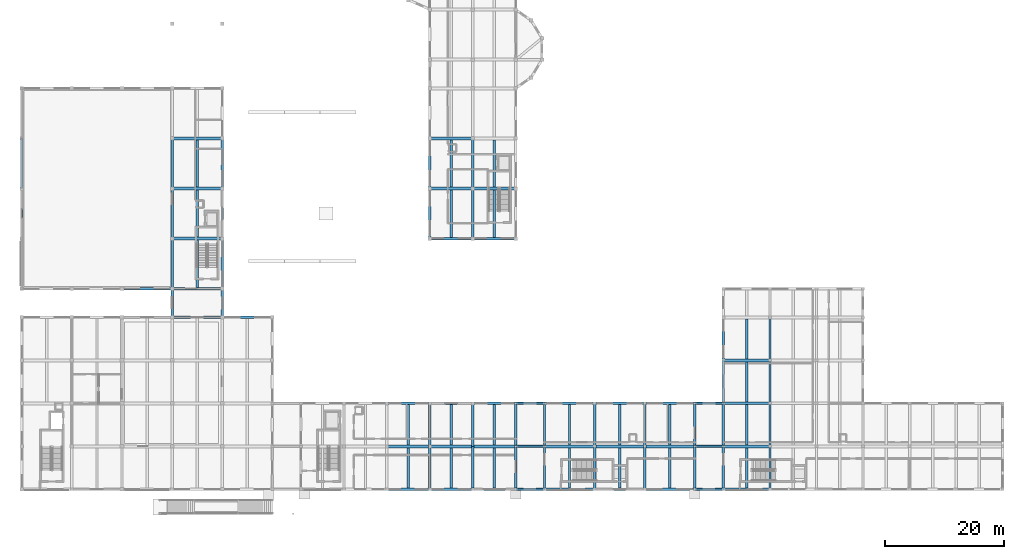
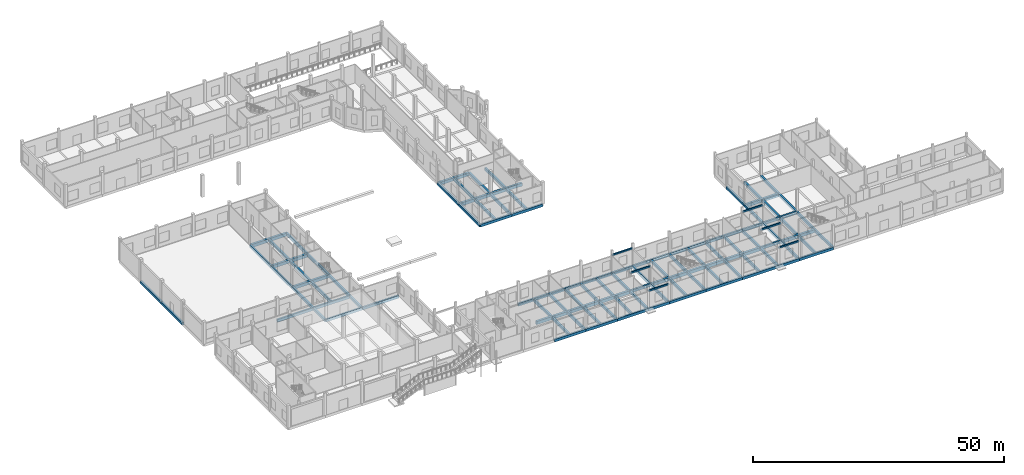
# One storey, part 10 of 41: 105 beams.
"""IFC4 building model written with IfcOpenShell, lengths in metres."""

from ifc_helpers import new_model, si_unit, direction, frame, origin, origin_2d, place, context, subcontext, project, spatial, rectangle, extrude, material, material_profile, profile_set, type_object, element, save


model = new_model("IFC4")

# Units and contexts
model_context = context("Model", 3, precision=1e-05, world=origin(), true_north=direction((0.0, 1.0)))
body_context = subcontext(model_context, "Body", "Model", "MODEL_VIEW")
ifc_project = project(units=[si_unit("LENGTHUNIT", "METRE"), si_unit("AREAUNIT", "SQUARE_METRE"), si_unit("VOLUMEUNIT", "CUBIC_METRE"), si_unit("PLANEANGLEUNIT", "RADIAN"), si_unit("MASSUNIT", "GRAM", prefix="KILO")], contexts=[model_context])

# Site, building, storey
site_placement = place(None, origin())
site = spatial("IfcSite", under=ifc_project, at=site_placement, CompositionType="ELEMENT")
building_placement = place(site_placement, origin())
building = spatial("IfcBuilding", under=site, at=building_placement, Name="Kahlenmark Community Centre", CompositionType="ELEMENT")
storey_placement = place(building_placement, origin())
storey = spatial("IfcBuildingStorey", under=building, at=storey_placement, Name="L00", CompositionType="ELEMENT", Elevation=0.0)

# Beams
ifc_material = material(Name="Concrete C35/45", Category="concrete")
ifc_material_profile_1 = material_profile(ifc_material, rectangle(XDim=0.39990234375, YDim=0.64990234375, at=origin_2d()), Name="RC 400x650")
ifc_profile_set_1 = profile_set([ifc_material_profile_1], Name="Concrete C35/45")
beam_type_1 = type_object("IfcBeamType", Name="BT-BEAM-RC400x650", PredefinedType="BEAM", material=ifc_profile_set_1)
beam_1_placement = place(storey_placement, frame((29.199951171875, 42.39990234375, -0.324951171875), z_axis=(0.0, 1.0, 0.0), x_axis=(-1.0, 0.0, 0.0)))
element("IfcBeam", 1, at=beam_1_placement, inside=storey, type_object=beam_type_1, Name="L00 beam BG-RC400x650", PredefinedType="BEAM", context=body_context, shape_type="SweptSolid", body=[
    extrude(rectangle(XDim=0.39990234375, YDim=0.64990234375, at=origin_2d()), origin(), (0.0, 0.0, 1.0), 8.400146484375),
])
beam_2_placement = place(storey_placement, frame((29.199951171875, 50.800048828125, -0.324951171875), z_axis=(0.0, 1.0, 0.0), x_axis=(-1.0, 0.0, 0.0)))
element("IfcBeam", 2, at=beam_2_placement, inside=storey, type_object=beam_type_1, Name="L00 beam BG-RC400x650", PredefinedType="BEAM", context=body_context, shape_type="SweptSolid", body=[
    extrude(rectangle(XDim=0.39990234375, YDim=0.64990234375, at=origin_2d()), origin(), (0.0, 0.0, 1.0), 8.39990234375),
])
beam_3_placement = place(storey_placement, frame((29.199951171875, 59.199951171875, -0.324951171875), z_axis=(0.0, 1.0, 0.0), x_axis=(-1.0, 0.0, 0.0)))
element("IfcBeam", 3, at=beam_3_placement, inside=storey, type_object=beam_type_1, Name="L00 beam BG-RC400x650", PredefinedType="BEAM", context=body_context, shape_type="SweptSolid", body=[
    extrude(rectangle(XDim=0.39990234375, YDim=0.64990234375, at=origin_2d()), origin(), (0.0, 0.0, 1.0), 8.400146484375),
])
for number, where, z_axis, x_axis, name in (
    (4, (72.39990234375, 8.800048828125, -0.324951171875), (0.0, 1.0, 0.0), (-1.0, 0.0, 0.0), "L00 beam BG-RC400x650"),
    (5, (72.39990234375, 16.0, -0.324951171875), (0.0, 1.0, 0.0), (-1.0, 0.0, 0.0), "L00 beam BG-RC400x650"),
    (6, (79.60009765625, 8.800048828125, -0.324951171875), (0.0, 1.0, 0.0), (-1.0, 0.0, 0.0), "L00 beam BG-RC400x650"),
    (7, (79.60009765625, 16.0, -0.324951171875), (0.0, 1.0, 0.0), (-1.0, 0.0, 0.0), "L00 beam BG-RC400x650"),
):
    element("IfcBeam", number, at=place(storey_placement, frame(where, z_axis=z_axis, x_axis=x_axis)), inside=storey, type_object=beam_type_1, Name=name, PredefinedType="BEAM", context=body_context, shape_type="SweptSolid", body=[
        extrude(rectangle(XDim=0.39990234375, YDim=0.64990234375, at=origin_2d()), origin(), (0.0, 0.0, 1.0), 7.199951171875),
    ])
beam_4_placement = place(storey_placement, frame((79.60009765625, 50.800048828125, -0.324951171875), z_axis=(0.0, 1.0, 0.0), x_axis=(-1.0, 0.0, 0.0)))
element("IfcBeam", 8, at=beam_4_placement, inside=storey, type_object=beam_type_1, Name="L00 beam BG-RC400x650", PredefinedType="BEAM", context=body_context, shape_type="SweptSolid", body=[
    extrude(rectangle(XDim=0.39990234375, YDim=0.64990234375, at=origin_2d()), origin(), (0.0, 0.0, 1.0), 8.39990234375),
])
beam_5_placement = place(storey_placement, frame((79.60009765625, 59.199951171875, -0.324951171875), z_axis=(0.0, 1.0, 0.0), x_axis=(-1.0, 0.0, 0.0)))
element("IfcBeam", 9, at=beam_5_placement, inside=storey, type_object=beam_type_1, Name="L00 beam BG-RC400x650", PredefinedType="BEAM", context=body_context, shape_type="SweptSolid", body=[
    extrude(rectangle(XDim=0.39990234375, YDim=0.64990234375, at=origin_2d()), origin(), (0.0, 0.0, 1.0), 8.400146484375),
])
for number, where, z_axis, x_axis, name in (
    (10, (100.0, 8.800048828125, -0.324951171875), (0.0, 1.0, 0.0), (-1.0, 0.0, 0.0), "L00 beam BG-RC400x650"),
    (11, (100.0, 16.0, -0.324951171875), (0.0, 1.0, 0.0), (-1.0, 0.0, 0.0), "L00 beam BG-RC400x650"),
    (12, (108.39990234375, 8.800048828125, -0.324951171875), (0.0, 1.0, 0.0), (-1.0, 0.0, 0.0), "L00 beam BG-RC400x650"),
    (13, (108.39990234375, 16.0, -0.324951171875), (0.0, 1.0, 0.0), (-1.0, 0.0, 0.0), "L00 beam BG-RC400x650"),
    (14, (129.39990234375, 8.800048828125, -0.324951171875), (0.0, 1.0, 0.0), (-1.0, 0.0, 0.0), "L00 beam BG-RC400x650"),
    (15, (129.39990234375, 16.0, -0.324951171875), (0.0, 1.0, 0.0), (-1.0, 0.0, 0.0), "L00 beam BG-RC400x650"),
    (16, (129.39990234375, 23.199951171875, -0.324951171875), (0.0, 1.0, 0.0), (-1.0, 0.0, 0.0), "L00 beam BG-RC400x650"),
):
    element("IfcBeam", number, at=place(storey_placement, frame(where, z_axis=z_axis, x_axis=x_axis)), inside=storey, type_object=beam_type_1, Name=name, PredefinedType="BEAM", context=body_context, shape_type="SweptSolid", body=[
        extrude(rectangle(XDim=0.39990234375, YDim=0.64990234375, at=origin_2d()), origin(), (0.0, 0.0, 1.0), 7.199951171875),
    ])
beam_6_placement = place(storey_placement, frame((129.39990234375, 30.39990234375, -0.324951171875), z_axis=(0.0, 1.0, 0.0), x_axis=(-1.0, 0.0, 0.0)))
element("IfcBeam", 17, at=beam_6_placement, inside=storey, type_object=beam_type_1, Name="L00 beam BG-RC400x650", PredefinedType="BEAM", context=body_context, shape_type="SweptSolid", body=[
    extrude(rectangle(XDim=0.39990234375, YDim=0.64990234375, at=origin_2d()), origin(), (0.0, 0.0, 1.0), 7.2001953125),
])
ifc_material_profile_2 = material_profile(ifc_material, rectangle(XDim=0.5, YDim=0.75, at=origin_2d()), Name="RC 500x750")
ifc_profile_set_2 = profile_set([ifc_material_profile_2], Name="Concrete C35/45")
beam_type_2 = type_object("IfcBeamType", Name="BT-BEAM-RC500x750", PredefinedType="BEAM", material=ifc_profile_set_2)
for number, where, z_axis, x_axis, name in (
    (18, (29.199951171875, 50.800048828125, -0.375), (1.0, 0.0, 0.0), (0.0, 1.0, 0.0), "L00 beam BG-RC500x750"),
    (19, (29.199951171875, 59.199951171875, -0.375), (1.0, 0.0, 0.0), (0.0, 1.0, 0.0), "L00 beam BG-RC500x750"),
    (20, (29.199951171875, 67.60009765625, -0.375), (1.0, 0.0, 0.0), (0.0, 1.0, 0.0), "L00 beam BG-RC500x750"),
):
    element("IfcBeam", number, at=place(storey_placement, frame(where, z_axis=z_axis, x_axis=x_axis)), inside=storey, type_object=beam_type_2, Name=name, PredefinedType="BEAM", context=body_context, shape_type="SweptSolid", body=[
        extrude(rectangle(XDim=0.5, YDim=0.75, at=origin_2d()), origin(), (0.0, 0.0, 1.0), 8.400146484375),
    ])
beam_7_placement = place(storey_placement, frame((65.199951171875, 16.0, -0.375), z_axis=(1.0, 0.0, 0.0), x_axis=(0.0, 1.0, 0.0)))
element("IfcBeam", 21, at=beam_7_placement, inside=storey, type_object=beam_type_2, Name="L00 beam BG-RC500x750", PredefinedType="BEAM", context=body_context, shape_type="SweptSolid", body=[
    extrude(rectangle(XDim=0.5, YDim=0.75, at=origin_2d()), origin(), (0.0, 0.0, 1.0), 7.199951171875),
])
beam_8_placement = place(storey_placement, frame((72.39990234375, 16.0, -0.375), z_axis=(1.0, 0.0, 0.0), x_axis=(0.0, 1.0, 0.0)))
element("IfcBeam", 22, at=beam_8_placement, inside=storey, type_object=beam_type_2, Name="L00 beam BG-RC500x750", PredefinedType="BEAM", context=body_context, shape_type="SweptSolid", body=[
    extrude(rectangle(XDim=0.5, YDim=0.75, at=origin_2d()), origin(), (0.0, 0.0, 1.0), 7.2001953125),
])
beam_9_placement = place(storey_placement, frame((79.60009765625, 16.0, -0.375), z_axis=(1.0, 0.0, 0.0), x_axis=(0.0, 1.0, 0.0)))
element("IfcBeam", 23, at=beam_9_placement, inside=storey, type_object=beam_type_2, Name="L00 beam BG-RC500x750", PredefinedType="BEAM", context=body_context, shape_type="SweptSolid", body=[
    extrude(rectangle(XDim=0.5, YDim=0.75, at=origin_2d()), origin(), (0.0, 0.0, 1.0), 7.199951171875),
])
beam_10_placement = place(storey_placement, frame((72.39990234375, 59.199951171875, -0.375), z_axis=(1.0, 0.0, 0.0), x_axis=(0.0, 1.0, 0.0)))
element("IfcBeam", 24, at=beam_10_placement, inside=storey, type_object=beam_type_2, Name="L00 beam BG-RC500x750", PredefinedType="BEAM", context=body_context, shape_type="SweptSolid", body=[
    extrude(rectangle(XDim=0.5, YDim=0.75, at=origin_2d()), origin(), (0.0, 0.0, 1.0), 7.2001953125),
])
beam_11_placement = place(storey_placement, frame((79.60009765625, 59.199951171875, -0.375), z_axis=(1.0, 0.0, 0.0), x_axis=(0.0, 1.0, 0.0)))
element("IfcBeam", 25, at=beam_11_placement, inside=storey, type_object=beam_type_2, Name="L00 beam BG-RC500x750", PredefinedType="BEAM", context=body_context, shape_type="SweptSolid", body=[
    extrude(rectangle(XDim=0.5, YDim=0.75, at=origin_2d()), origin(), (0.0, 0.0, 1.0), 7.199951171875),
])
beam_12_placement = place(storey_placement, frame((72.39990234375, 67.60009765625, -0.375), z_axis=(1.0, 0.0, 0.0), x_axis=(0.0, 1.0, 0.0)))
element("IfcBeam", 26, at=beam_12_placement, inside=storey, type_object=beam_type_2, Name="L00 beam BG-RC500x750", PredefinedType="BEAM", context=body_context, shape_type="SweptSolid", body=[
    extrude(rectangle(XDim=0.5, YDim=0.75, at=origin_2d()), origin(), (0.0, 0.0, 1.0), 7.2001953125),
])
for number, where, z_axis, x_axis, name in (
    (27, (91.60009765625, 16.0, -0.375), (1.0, 0.0, 0.0), (0.0, 1.0, 0.0), "L00 beam BG-RC500x750"),
    (28, (100.0, 16.0, -0.375), (1.0, 0.0, 0.0), (0.0, 1.0, 0.0), "L00 beam BG-RC500x750"),
):
    element("IfcBeam", number, at=place(storey_placement, frame(where, z_axis=z_axis, x_axis=x_axis)), inside=storey, type_object=beam_type_2, Name=name, PredefinedType="BEAM", context=body_context, shape_type="SweptSolid", body=[
        extrude(rectangle(XDim=0.5, YDim=0.75, at=origin_2d()), origin(), (0.0, 0.0, 1.0), 8.39990234375),
    ])
beam_13_placement = place(storey_placement, frame((108.39990234375, 16.0, -0.375), z_axis=(1.0, 0.0, 0.0), x_axis=(0.0, 1.0, 0.0)))
element("IfcBeam", 29, at=beam_13_placement, inside=storey, type_object=beam_type_2, Name="L00 beam BG-RC500x750", PredefinedType="BEAM", context=body_context, shape_type="SweptSolid", body=[
    extrude(rectangle(XDim=0.5, YDim=0.75, at=origin_2d()), origin(), (0.0, 0.0, 1.0), 8.400146484375),
])
for number, where, z_axis, x_axis, name in (
    (30, (121.60009765625, 16.0, -0.375), (1.0, 0.0, 0.0), (0.0, 1.0, 0.0), "L00 beam BG-RC500x750"),
    (31, (121.60009765625, 30.39990234375, -0.375), (1.0, 0.0, 0.0), (0.0, 1.0, 0.0), "L00 beam BG-RC500x750"),
):
    element("IfcBeam", number, at=place(storey_placement, frame(where, z_axis=z_axis, x_axis=x_axis)), inside=storey, type_object=beam_type_2, Name=name, PredefinedType="BEAM", context=body_context, shape_type="SweptSolid", body=[
        extrude(rectangle(XDim=0.5, YDim=0.75, at=origin_2d()), origin(), (0.0, 0.0, 1.0), 7.7998046875),
    ])
ifc_material_profile_3 = material_profile(ifc_material, rectangle(XDim=0.39990234375, YDim=0.64990234375, at=origin_2d()), Name="RC 400x650")
ifc_profile_set_3 = profile_set([ifc_material_profile_3], Name="Concrete C35/45")
beam_type_3 = type_object("IfcBeamType", Name="BT-JOIST-RC400x650", PredefinedType="JOIST", material=ifc_profile_set_3)
beam_14_placement = place(storey_placement, frame((33.39990234375, 42.597900390625, -0.324951171875), z_axis=(0.0, 1.0, 0.0), x_axis=(-1.0, 0.0, 0.0)))
element("IfcBeam", 32, at=beam_14_placement, inside=storey, type_object=beam_type_3, Name="L00 joist BJ-RC400x650", PredefinedType="JOIST", context=body_context, shape_type="SweptSolid", body=[
    extrude(rectangle(XDim=0.39990234375, YDim=0.64990234375, at=origin_2d()), origin(), (0.0, 0.0, 1.0), 7.9541015625),
])
beam_15_placement = place(storey_placement, frame((33.39990234375, 51.048095703125, -0.324951171875), z_axis=(0.0, 1.0, 0.0), x_axis=(-1.0, 0.0, 0.0)))
element("IfcBeam", 33, at=beam_15_placement, inside=storey, type_object=beam_type_3, Name="L00 joist BJ-RC400x650", PredefinedType="JOIST", context=body_context, shape_type="SweptSolid", body=[
    extrude(rectangle(XDim=0.39990234375, YDim=0.64990234375, at=origin_2d()), origin(), (0.0, 0.0, 1.0), 7.90380859375),
])
beam_16_placement = place(storey_placement, frame((33.39990234375, 59.447998046875, -0.324951171875), z_axis=(0.0, 1.0, 0.0), x_axis=(-1.0, 0.0, 0.0)))
element("IfcBeam", 34, at=beam_16_placement, inside=storey, type_object=beam_type_3, Name="L00 joist BJ-RC400x650", PredefinedType="JOIST", context=body_context, shape_type="SweptSolid", body=[
    extrude(rectangle(XDim=0.39990234375, YDim=0.64990234375, at=origin_2d()), origin(), (0.0, 0.0, 1.0), 7.904052734375),
])
for number, where, z_axis, x_axis, name in (
    (35, (68.800048828125, 8.998046875, -0.324951171875), (0.0, 1.0, 0.0), (-1.0, 0.0, 0.0), "L00 joist BJ-RC400x650"),
    (36, (68.800048828125, 16.248046875, -0.324951171875), (0.0, 1.0, 0.0), (-1.0, 0.0, 0.0), "L00 joist BJ-RC400x650"),
    (37, (76.0, 8.998046875, -0.324951171875), (0.0, 1.0, 0.0), (-1.0, 0.0, 0.0), "L00 joist BJ-RC400x650"),
    (38, (76.0, 16.248046875, -0.324951171875), (0.0, 1.0, 0.0), (-1.0, 0.0, 0.0), "L00 joist BJ-RC400x650"),
    (39, (83.199951171875, 8.998046875, -0.324951171875), (0.0, 1.0, 0.0), (-1.0, 0.0, 0.0), "L00 joist BJ-RC400x650"),
    (40, (83.199951171875, 16.248046875, -0.324951171875), (0.0, 1.0, 0.0), (-1.0, 0.0, 0.0), "L00 joist BJ-RC400x650"),
):
    element("IfcBeam", number, at=place(storey_placement, frame(where, z_axis=z_axis, x_axis=x_axis)), inside=storey, type_object=beam_type_3, Name=name, PredefinedType="JOIST", context=body_context, shape_type="SweptSolid", body=[
        extrude(rectangle(XDim=0.39990234375, YDim=0.64990234375, at=origin_2d()), origin(), (0.0, 0.0, 1.0), 6.75390625),
    ])
beam_17_placement = place(storey_placement, frame((76.0, 50.998046875, -0.324951171875), z_axis=(0.0, 1.0, 0.0), x_axis=(-1.0, 0.0, 0.0)))
element("IfcBeam", 41, at=beam_17_placement, inside=storey, type_object=beam_type_3, Name="L00 joist BJ-RC400x650", PredefinedType="JOIST", context=body_context, shape_type="SweptSolid", body=[
    extrude(rectangle(XDim=0.39990234375, YDim=0.64990234375, at=origin_2d()), origin(), (0.0, 0.0, 1.0), 7.953857421875),
])
beam_18_placement = place(storey_placement, frame((76.0, 59.447998046875, -0.324951171875), z_axis=(0.0, 1.0, 0.0), x_axis=(-1.0, 0.0, 0.0)))
element("IfcBeam", 42, at=beam_18_placement, inside=storey, type_object=beam_type_3, Name="L00 joist BJ-RC400x650", PredefinedType="JOIST", context=body_context, shape_type="SweptSolid", body=[
    extrude(rectangle(XDim=0.39990234375, YDim=0.64990234375, at=origin_2d()), origin(), (0.0, 0.0, 1.0), 7.904052734375),
])
beam_19_placement = place(storey_placement, frame((83.199951171875, 50.998046875, -0.324951171875), z_axis=(0.0, 1.0, 0.0), x_axis=(-1.0, 0.0, 0.0)))
element("IfcBeam", 43, at=beam_19_placement, inside=storey, type_object=beam_type_3, Name="L00 joist BJ-RC400x650", PredefinedType="JOIST", context=body_context, shape_type="SweptSolid", body=[
    extrude(rectangle(XDim=0.39990234375, YDim=0.64990234375, at=origin_2d()), origin(), (0.0, 0.0, 1.0), 7.953857421875),
])
beam_20_placement = place(storey_placement, frame((83.199951171875, 59.447998046875, -0.324951171875), z_axis=(0.0, 1.0, 0.0), x_axis=(-1.0, 0.0, 0.0)))
element("IfcBeam", 44, at=beam_20_placement, inside=storey, type_object=beam_type_3, Name="L00 joist BJ-RC400x650", PredefinedType="JOIST", context=body_context, shape_type="SweptSolid", body=[
    extrude(rectangle(XDim=0.39990234375, YDim=0.64990234375, at=origin_2d()), origin(), (0.0, 0.0, 1.0), 7.904052734375),
])
for number, where, z_axis, x_axis, name in (
    (45, (95.800048828125, 8.998046875, -0.324951171875), (0.0, 1.0, 0.0), (-1.0, 0.0, 0.0), "L00 joist BJ-RC400x650"),
    (46, (95.800048828125, 16.248046875, -0.324951171875), (0.0, 1.0, 0.0), (-1.0, 0.0, 0.0), "L00 joist BJ-RC400x650"),
    (47, (104.199951171875, 8.998046875, -0.324951171875), (0.0, 1.0, 0.0), (-1.0, 0.0, 0.0), "L00 joist BJ-RC400x650"),
    (48, (104.199951171875, 16.248046875, -0.324951171875), (0.0, 1.0, 0.0), (-1.0, 0.0, 0.0), "L00 joist BJ-RC400x650"),
    (49, (112.60009765625, 8.998046875, -0.324951171875), (0.0, 1.0, 0.0), (-1.0, 0.0, 0.0), "L00 joist BJ-RC400x650"),
    (50, (112.60009765625, 16.248046875, -0.324951171875), (0.0, 1.0, 0.0), (-1.0, 0.0, 0.0), "L00 joist BJ-RC400x650"),
    (51, (125.5, 8.998046875, -0.324951171875), (0.0, 1.0, 0.0), (-1.0, 0.0, 0.0), "L00 joist BJ-RC400x650"),
    (52, (125.5, 16.248046875, -0.324951171875), (0.0, 1.0, 0.0), (-1.0, 0.0, 0.0), "L00 joist BJ-RC400x650"),
):
    element("IfcBeam", number, at=place(storey_placement, frame(where, z_axis=z_axis, x_axis=x_axis)), inside=storey, type_object=beam_type_3, Name=name, PredefinedType="JOIST", context=body_context, shape_type="SweptSolid", body=[
        extrude(rectangle(XDim=0.39990234375, YDim=0.64990234375, at=origin_2d()), origin(), (0.0, 0.0, 1.0), 6.75390625),
    ])
beam_21_placement = place(storey_placement, frame((125.5, 23.39794921875, -0.324951171875), z_axis=(0.0, 1.0, 0.0), x_axis=(-1.0, 0.0, 0.0)))
element("IfcBeam", 53, at=beam_21_placement, inside=storey, type_object=beam_type_3, Name="L00 joist BJ-RC400x650", PredefinedType="JOIST", context=body_context, shape_type="SweptSolid", body=[
    extrude(rectangle(XDim=0.39990234375, YDim=0.64990234375, at=origin_2d()), origin(), (0.0, 0.0, 1.0), 6.754150390625),
])
beam_22_placement = place(storey_placement, frame((125.5, 30.64794921875, -0.324951171875), z_axis=(0.0, 1.0, 0.0), x_axis=(-1.0, 0.0, 0.0)))
element("IfcBeam", 54, at=beam_22_placement, inside=storey, type_object=beam_type_3, Name="L00 joist BJ-RC400x650", PredefinedType="JOIST", context=body_context, shape_type="SweptSolid", body=[
    extrude(rectangle(XDim=0.39990234375, YDim=0.64990234375, at=origin_2d()), origin(), (0.0, 0.0, 1.0), 6.7041015625),
])
ifc_material_profile_4 = material_profile(ifc_material, rectangle(XDim=0.300048828125, YDim=0.35009765625, at=origin_2d()), Name="RC 300x350")
ifc_profile_set_4 = profile_set([ifc_material_profile_4], Name="Concrete C35/45")
beam_type_4 = type_object("IfcBeamType", Name="BT-LINTEL-RC300x350", PredefinedType="LINTEL", material=ifc_profile_set_4)
for number, where, z_axis, x_axis, name in (
    (55, (86.800048828125, 8.800048828125, 4.175048828125), (1.0, 0.0, 0.0), (0.0, 1.0, 0.0), "L00 lintel LN-RC350"),
    (56, (86.800048828125, 16.0, 4.175048828125), (1.0, 0.0, 0.0), (0.0, 1.0, 0.0), "L00 lintel LN-RC350"),
    (57, (86.800048828125, 23.199951171875, 4.175048828125), (1.0, 0.0, 0.0), (0.0, 1.0, 0.0), "L00 lintel LN-RC350"),
    (58, (116.800048828125, 8.800048828125, 4.175048828125), (1.0, 0.0, 0.0), (0.0, 1.0, 0.0), "L00 lintel LN-RC350"),
    (59, (116.800048828125, 16.0, 4.175048828125), (1.0, 0.0, 0.0), (0.0, 1.0, 0.0), "L00 lintel LN-RC350"),
    (60, (116.800048828125, 23.199951171875, 4.175048828125), (1.0, 0.0, 0.0), (0.0, 1.0, 0.0), "L00 lintel LN-RC350"),
):
    element("IfcBeam", number, at=place(storey_placement, frame(where, z_axis=z_axis, x_axis=x_axis)), inside=storey, type_object=beam_type_4, Name=name, PredefinedType="LINTEL", context=body_context, shape_type="SweptSolid", body=[
        extrude(rectangle(XDim=0.300048828125, YDim=0.35009765625, at=origin_2d()), origin(), (0.0, 0.0, 1.0), 4.800048828125),
    ])
ifc_material_profile_5 = material_profile(ifc_material, rectangle(XDim=0.39990234375, YDim=0.64990234375, at=origin_2d()), Name="RC 400x650")
ifc_profile_set_5 = profile_set([ifc_material_profile_5], Name="Concrete C35/45")
beam_type_5 = type_object("IfcBeamType", Name="BT-SPANDREL-RC400x650", PredefinedType="SPANDREL", material=ifc_profile_set_5)
beam_23_placement = place(storey_placement, frame((29.199951171875, 37.60009765625, -0.324951171875), z_axis=(1.0, 0.0, 0.0), x_axis=(0.0, 1.0, 0.0)))
element("IfcBeam", 61, at=beam_23_placement, inside=storey, type_object=beam_type_5, Name="L00 spandrel SP-RC400x650", PredefinedType="SPANDREL", context=body_context, shape_type="SweptSolid", body=[
    extrude(rectangle(XDim=0.39990234375, YDim=0.64990234375, at=origin_2d()), origin(), (0.0, 0.0, 1.0), 8.400146484375),
])
for number, where, z_axis, x_axis, name in (
    (62, (37.60009765625, 37.60009765625, -0.324951171875), (1.0, 0.0, 0.0), (0.0, 1.0, 0.0), "L00 spandrel SP-RC400x650"),
    (63, (20.800048828125, 42.39990234375, -0.324951171875), (1.0, 0.0, 0.0), (0.0, 1.0, 0.0), "L00 spandrel SP-RC400x650"),
):
    element("IfcBeam", number, at=place(storey_placement, frame(where, z_axis=z_axis, x_axis=x_axis)), inside=storey, type_object=beam_type_5, Name=name, PredefinedType="SPANDREL", context=body_context, shape_type="SweptSolid", body=[
        extrude(rectangle(XDim=0.39990234375, YDim=0.64990234375, at=origin_2d()), origin(), (0.0, 0.0, 1.0), 8.39990234375),
    ])
beam_24_placement = place(storey_placement, frame((29.199951171875, 42.39990234375, -0.324951171875), z_axis=(1.0, 0.0, 0.0), x_axis=(0.0, 1.0, 0.0)))
element("IfcBeam", 64, at=beam_24_placement, inside=storey, type_object=beam_type_5, Name="L00 spandrel SP-RC400x650", PredefinedType="SPANDREL", context=body_context, shape_type="SweptSolid", body=[
    extrude(rectangle(XDim=0.39990234375, YDim=0.64990234375, at=origin_2d()), origin(), (0.0, 0.0, 1.0), 8.400146484375),
])
beam_25_placement = place(storey_placement, frame((4.0, 50.800048828125, -0.324951171875), z_axis=(0.0, 1.0, 0.0), x_axis=(-1.0, 0.0, 0.0)))
element("IfcBeam", 65, at=beam_25_placement, inside=storey, type_object=beam_type_5, Name="L00 spandrel SP-RC400x650", PredefinedType="SPANDREL", context=body_context, shape_type="SweptSolid", body=[
    extrude(rectangle(XDim=0.39990234375, YDim=0.64990234375, at=origin_2d()), origin(), (0.0, 0.0, 1.0), 8.39990234375),
])
for number, where, z_axis, x_axis, name in (
    (66, (4.0, 59.199951171875, -0.324951171875), (0.0, 1.0, 0.0), (-1.0, 0.0, 0.0), "L00 spandrel SP-RC400x650"),
    (67, (37.60009765625, 42.39990234375, -0.324951171875), (0.0, 1.0, 0.0), (-1.0, 0.0, 0.0), "L00 spandrel SP-RC400x650"),
):
    element("IfcBeam", number, at=place(storey_placement, frame(where, z_axis=z_axis, x_axis=x_axis)), inside=storey, type_object=beam_type_5, Name=name, PredefinedType="SPANDREL", context=body_context, shape_type="SweptSolid", body=[
        extrude(rectangle(XDim=0.39990234375, YDim=0.64990234375, at=origin_2d()), origin(), (0.0, 0.0, 1.0), 8.400146484375),
    ])
beam_26_placement = place(storey_placement, frame((37.60009765625, 50.800048828125, -0.324951171875), z_axis=(0.0, 1.0, 0.0), x_axis=(-1.0, 0.0, 0.0)))
element("IfcBeam", 68, at=beam_26_placement, inside=storey, type_object=beam_type_5, Name="L00 spandrel SP-RC400x650", PredefinedType="SPANDREL", context=body_context, shape_type="SweptSolid", body=[
    extrude(rectangle(XDim=0.39990234375, YDim=0.64990234375, at=origin_2d()), origin(), (0.0, 0.0, 1.0), 8.39990234375),
])
beam_27_placement = place(storey_placement, frame((37.60009765625, 59.199951171875, -0.324951171875), z_axis=(0.0, 1.0, 0.0), x_axis=(-1.0, 0.0, 0.0)))
element("IfcBeam", 69, at=beam_27_placement, inside=storey, type_object=beam_type_5, Name="L00 spandrel SP-RC400x650", PredefinedType="SPANDREL", context=body_context, shape_type="SweptSolid", body=[
    extrude(rectangle(XDim=0.39990234375, YDim=0.64990234375, at=origin_2d()), origin(), (0.0, 0.0, 1.0), 8.400146484375),
])
beam_28_placement = place(storey_placement, frame((65.199951171875, 8.800048828125, -0.324951171875), z_axis=(1.0, 0.0, 0.0), x_axis=(0.0, 1.0, 0.0)))
element("IfcBeam", 70, at=beam_28_placement, inside=storey, type_object=beam_type_5, Name="L00 spandrel SP-RC400x650", PredefinedType="SPANDREL", context=body_context, shape_type="SweptSolid", body=[
    extrude(rectangle(XDim=0.39990234375, YDim=0.64990234375, at=origin_2d()), origin(), (0.0, 0.0, 1.0), 7.199951171875),
])
beam_29_placement = place(storey_placement, frame((72.39990234375, 8.800048828125, -0.324951171875), z_axis=(1.0, 0.0, 0.0), x_axis=(0.0, 1.0, 0.0)))
element("IfcBeam", 71, at=beam_29_placement, inside=storey, type_object=beam_type_5, Name="L00 spandrel SP-RC400x650", PredefinedType="SPANDREL", context=body_context, shape_type="SweptSolid", body=[
    extrude(rectangle(XDim=0.39990234375, YDim=0.64990234375, at=origin_2d()), origin(), (0.0, 0.0, 1.0), 7.2001953125),
])
for number, where, z_axis, x_axis, name in (
    (72, (79.60009765625, 8.800048828125, -0.324951171875), (1.0, 0.0, 0.0), (0.0, 1.0, 0.0), "L00 spandrel SP-RC400x650"),
    (73, (65.199951171875, 23.199951171875, -0.324951171875), (1.0, 0.0, 0.0), (0.0, 1.0, 0.0), "L00 spandrel SP-RC400x650"),
):
    element("IfcBeam", number, at=place(storey_placement, frame(where, z_axis=z_axis, x_axis=x_axis)), inside=storey, type_object=beam_type_5, Name=name, PredefinedType="SPANDREL", context=body_context, shape_type="SweptSolid", body=[
        extrude(rectangle(XDim=0.39990234375, YDim=0.64990234375, at=origin_2d()), origin(), (0.0, 0.0, 1.0), 7.199951171875),
    ])
beam_30_placement = place(storey_placement, frame((72.39990234375, 23.199951171875, -0.324951171875), z_axis=(1.0, 0.0, 0.0), x_axis=(0.0, 1.0, 0.0)))
element("IfcBeam", 74, at=beam_30_placement, inside=storey, type_object=beam_type_5, Name="L00 spandrel SP-RC400x650", PredefinedType="SPANDREL", context=body_context, shape_type="SweptSolid", body=[
    extrude(rectangle(XDim=0.39990234375, YDim=0.64990234375, at=origin_2d()), origin(), (0.0, 0.0, 1.0), 7.2001953125),
])
for number, where, z_axis, x_axis, name in (
    (75, (79.60009765625, 23.199951171875, -0.324951171875), (1.0, 0.0, 0.0), (0.0, 1.0, 0.0), "L00 spandrel SP-RC400x650"),
    (76, (86.800048828125, 8.800048828125, -0.324951171875), (0.0, 1.0, 0.0), (-1.0, 0.0, 0.0), "L00 spandrel SP-RC400x650"),
    (77, (86.800048828125, 16.0, -0.324951171875), (0.0, 1.0, 0.0), (-1.0, 0.0, 0.0), "L00 spandrel SP-RC400x650"),
):
    element("IfcBeam", number, at=place(storey_placement, frame(where, z_axis=z_axis, x_axis=x_axis)), inside=storey, type_object=beam_type_5, Name=name, PredefinedType="SPANDREL", context=body_context, shape_type="SweptSolid", body=[
        extrude(rectangle(XDim=0.39990234375, YDim=0.64990234375, at=origin_2d()), origin(), (0.0, 0.0, 1.0), 7.199951171875),
    ])
beam_31_placement = place(storey_placement, frame((72.39990234375, 50.800048828125, -0.324951171875), z_axis=(1.0, 0.0, 0.0), x_axis=(0.0, 1.0, 0.0)))
element("IfcBeam", 78, at=beam_31_placement, inside=storey, type_object=beam_type_5, Name="L00 spandrel SP-RC400x650", PredefinedType="SPANDREL", context=body_context, shape_type="SweptSolid", body=[
    extrude(rectangle(XDim=0.39990234375, YDim=0.64990234375, at=origin_2d()), origin(), (0.0, 0.0, 1.0), 7.2001953125),
])
beam_32_placement = place(storey_placement, frame((79.60009765625, 50.800048828125, -0.324951171875), z_axis=(1.0, 0.0, 0.0), x_axis=(0.0, 1.0, 0.0)))
element("IfcBeam", 79, at=beam_32_placement, inside=storey, type_object=beam_type_5, Name="L00 spandrel SP-RC400x650", PredefinedType="SPANDREL", context=body_context, shape_type="SweptSolid", body=[
    extrude(rectangle(XDim=0.39990234375, YDim=0.64990234375, at=origin_2d()), origin(), (0.0, 0.0, 1.0), 7.199951171875),
])
beam_33_placement = place(storey_placement, frame((72.39990234375, 50.800048828125, -0.324951171875), z_axis=(0.0, 1.0, 0.0), x_axis=(-1.0, 0.0, 0.0)))
element("IfcBeam", 80, at=beam_33_placement, inside=storey, type_object=beam_type_5, Name="L00 spandrel SP-RC400x650", PredefinedType="SPANDREL", context=body_context, shape_type="SweptSolid", body=[
    extrude(rectangle(XDim=0.39990234375, YDim=0.64990234375, at=origin_2d()), origin(), (0.0, 0.0, 1.0), 8.39990234375),
])
beam_34_placement = place(storey_placement, frame((72.39990234375, 59.199951171875, -0.324951171875), z_axis=(0.0, 1.0, 0.0), x_axis=(-1.0, 0.0, 0.0)))
element("IfcBeam", 81, at=beam_34_placement, inside=storey, type_object=beam_type_5, Name="L00 spandrel SP-RC400x650", PredefinedType="SPANDREL", context=body_context, shape_type="SweptSolid", body=[
    extrude(rectangle(XDim=0.39990234375, YDim=0.64990234375, at=origin_2d()), origin(), (0.0, 0.0, 1.0), 8.400146484375),
])
for number, where, z_axis, x_axis, name in (
    (82, (91.60009765625, 8.800048828125, -0.324951171875), (1.0, 0.0, 0.0), (0.0, 1.0, 0.0), "L00 spandrel SP-RC400x650"),
    (83, (100.0, 8.800048828125, -0.324951171875), (1.0, 0.0, 0.0), (0.0, 1.0, 0.0), "L00 spandrel SP-RC400x650"),
):
    element("IfcBeam", number, at=place(storey_placement, frame(where, z_axis=z_axis, x_axis=x_axis)), inside=storey, type_object=beam_type_5, Name=name, PredefinedType="SPANDREL", context=body_context, shape_type="SweptSolid", body=[
        extrude(rectangle(XDim=0.39990234375, YDim=0.64990234375, at=origin_2d()), origin(), (0.0, 0.0, 1.0), 8.39990234375),
    ])
beam_35_placement = place(storey_placement, frame((108.39990234375, 8.800048828125, -0.324951171875), z_axis=(1.0, 0.0, 0.0), x_axis=(0.0, 1.0, 0.0)))
element("IfcBeam", 84, at=beam_35_placement, inside=storey, type_object=beam_type_5, Name="L00 spandrel SP-RC400x650", PredefinedType="SPANDREL", context=body_context, shape_type="SweptSolid", body=[
    extrude(rectangle(XDim=0.39990234375, YDim=0.64990234375, at=origin_2d()), origin(), (0.0, 0.0, 1.0), 8.400146484375),
])
for number, where, z_axis, x_axis, name in (
    (85, (91.60009765625, 23.199951171875, -0.324951171875), (1.0, 0.0, 0.0), (0.0, 1.0, 0.0), "L00 spandrel SP-RC400x650"),
    (86, (100.0, 23.199951171875, -0.324951171875), (1.0, 0.0, 0.0), (0.0, 1.0, 0.0), "L00 spandrel SP-RC400x650"),
):
    element("IfcBeam", number, at=place(storey_placement, frame(where, z_axis=z_axis, x_axis=x_axis)), inside=storey, type_object=beam_type_5, Name=name, PredefinedType="SPANDREL", context=body_context, shape_type="SweptSolid", body=[
        extrude(rectangle(XDim=0.39990234375, YDim=0.64990234375, at=origin_2d()), origin(), (0.0, 0.0, 1.0), 8.39990234375),
    ])
beam_36_placement = place(storey_placement, frame((108.39990234375, 23.199951171875, -0.324951171875), z_axis=(1.0, 0.0, 0.0), x_axis=(0.0, 1.0, 0.0)))
element("IfcBeam", 87, at=beam_36_placement, inside=storey, type_object=beam_type_5, Name="L00 spandrel SP-RC400x650", PredefinedType="SPANDREL", context=body_context, shape_type="SweptSolid", body=[
    extrude(rectangle(XDim=0.39990234375, YDim=0.64990234375, at=origin_2d()), origin(), (0.0, 0.0, 1.0), 8.400146484375),
])
for number, where, z_axis, x_axis, name in (
    (88, (91.60009765625, 8.800048828125, -0.324951171875), (0.0, 1.0, 0.0), (-1.0, 0.0, 0.0), "L00 spandrel SP-RC400x650"),
    (89, (91.60009765625, 16.0, -0.324951171875), (0.0, 1.0, 0.0), (-1.0, 0.0, 0.0), "L00 spandrel SP-RC400x650"),
    (90, (116.800048828125, 8.800048828125, -0.324951171875), (0.0, 1.0, 0.0), (-1.0, 0.0, 0.0), "L00 spandrel SP-RC400x650"),
    (91, (116.800048828125, 16.0, -0.324951171875), (0.0, 1.0, 0.0), (-1.0, 0.0, 0.0), "L00 spandrel SP-RC400x650"),
):
    element("IfcBeam", number, at=place(storey_placement, frame(where, z_axis=z_axis, x_axis=x_axis)), inside=storey, type_object=beam_type_5, Name=name, PredefinedType="SPANDREL", context=body_context, shape_type="SweptSolid", body=[
        extrude(rectangle(XDim=0.39990234375, YDim=0.64990234375, at=origin_2d()), origin(), (0.0, 0.0, 1.0), 7.199951171875),
    ])
for number, where, z_axis, x_axis, name in (
    (92, (121.60009765625, 8.800048828125, -0.324951171875), (1.0, 0.0, 0.0), (0.0, 1.0, 0.0), "L00 spandrel SP-RC400x650"),
    (93, (121.60009765625, 23.199951171875, -0.324951171875), (1.0, 0.0, 0.0), (0.0, 1.0, 0.0), "L00 spandrel SP-RC400x650"),
):
    element("IfcBeam", number, at=place(storey_placement, frame(where, z_axis=z_axis, x_axis=x_axis)), inside=storey, type_object=beam_type_5, Name=name, PredefinedType="SPANDREL", context=body_context, shape_type="SweptSolid", body=[
        extrude(rectangle(XDim=0.39990234375, YDim=0.64990234375, at=origin_2d()), origin(), (0.0, 0.0, 1.0), 7.7998046875),
    ])
for number, where, z_axis, x_axis, name in (
    (94, (121.60009765625, 8.800048828125, -0.324951171875), (0.0, 1.0, 0.0), (-1.0, 0.0, 0.0), "L00 spandrel SP-RC400x650"),
    (95, (121.60009765625, 16.0, -0.324951171875), (0.0, 1.0, 0.0), (-1.0, 0.0, 0.0), "L00 spandrel SP-RC400x650"),
    (96, (121.60009765625, 23.199951171875, -0.324951171875), (0.0, 1.0, 0.0), (-1.0, 0.0, 0.0), "L00 spandrel SP-RC400x650"),
):
    element("IfcBeam", number, at=place(storey_placement, frame(where, z_axis=z_axis, x_axis=x_axis)), inside=storey, type_object=beam_type_5, Name=name, PredefinedType="SPANDREL", context=body_context, shape_type="SweptSolid", body=[
        extrude(rectangle(XDim=0.39990234375, YDim=0.64990234375, at=origin_2d()), origin(), (0.0, 0.0, 1.0), 7.199951171875),
    ])
beam_37_placement = place(storey_placement, frame((121.60009765625, 30.39990234375, -0.324951171875), z_axis=(0.0, 1.0, 0.0), x_axis=(-1.0, 0.0, 0.0)))
element("IfcBeam", 97, at=beam_37_placement, inside=storey, type_object=beam_type_5, Name="L00 spandrel SP-RC400x650", PredefinedType="SPANDREL", context=body_context, shape_type="SweptSolid", body=[
    extrude(rectangle(XDim=0.39990234375, YDim=0.64990234375, at=origin_2d()), origin(), (0.0, 0.0, 1.0), 7.2001953125),
])
for number, where, z_axis, x_axis, name in (
    (98, (29.199951171875, 37.60009765625, -0.324951171875), (0.0, 1.0, 0.0), (-1.0, 0.0, 0.0), "L00 spandrel SP-RC400x650"),
    (99, (37.60009765625, 37.60009765625, -0.324951171875), (0.0, 1.0, 0.0), (-1.0, 0.0, 0.0), "L00 spandrel SP-RC400x650"),
):
    element("IfcBeam", number, at=place(storey_placement, frame(where, z_axis=z_axis, x_axis=x_axis)), inside=storey, type_object=beam_type_5, Name=name, PredefinedType="SPANDREL", context=body_context, shape_type="SweptSolid", body=[
        extrude(rectangle(XDim=0.39990234375, YDim=0.64990234375, at=origin_2d()), origin(), (0.0, 0.0, 1.0), 4.7998046875),
    ])
for number, where, z_axis, x_axis, name in (
    (100, (86.800048828125, 8.800048828125, -0.324951171875), (1.0, 0.0, 0.0), (0.0, 1.0, 0.0), "L00 spandrel SP-RC400x650"),
    (101, (86.800048828125, 16.0, -0.324951171875), (1.0, 0.0, 0.0), (0.0, 1.0, 0.0), "L00 spandrel SP-RC400x650"),
    (102, (86.800048828125, 23.199951171875, -0.324951171875), (1.0, 0.0, 0.0), (0.0, 1.0, 0.0), "L00 spandrel SP-RC400x650"),
    (103, (116.800048828125, 8.800048828125, -0.324951171875), (1.0, 0.0, 0.0), (0.0, 1.0, 0.0), "L00 spandrel SP-RC400x650"),
    (104, (116.800048828125, 16.0, -0.324951171875), (1.0, 0.0, 0.0), (0.0, 1.0, 0.0), "L00 spandrel SP-RC400x650"),
    (105, (116.800048828125, 23.199951171875, -0.324951171875), (1.0, 0.0, 0.0), (0.0, 1.0, 0.0), "L00 spandrel SP-RC400x650"),
):
    element("IfcBeam", number, at=place(storey_placement, frame(where, z_axis=z_axis, x_axis=x_axis)), inside=storey, type_object=beam_type_5, Name=name, PredefinedType="SPANDREL", context=body_context, shape_type="SweptSolid", body=[
        extrude(rectangle(XDim=0.39990234375, YDim=0.64990234375, at=origin_2d()), origin(), (0.0, 0.0, 1.0), 4.800048828125),
    ])

save(model, "model.ifc")
